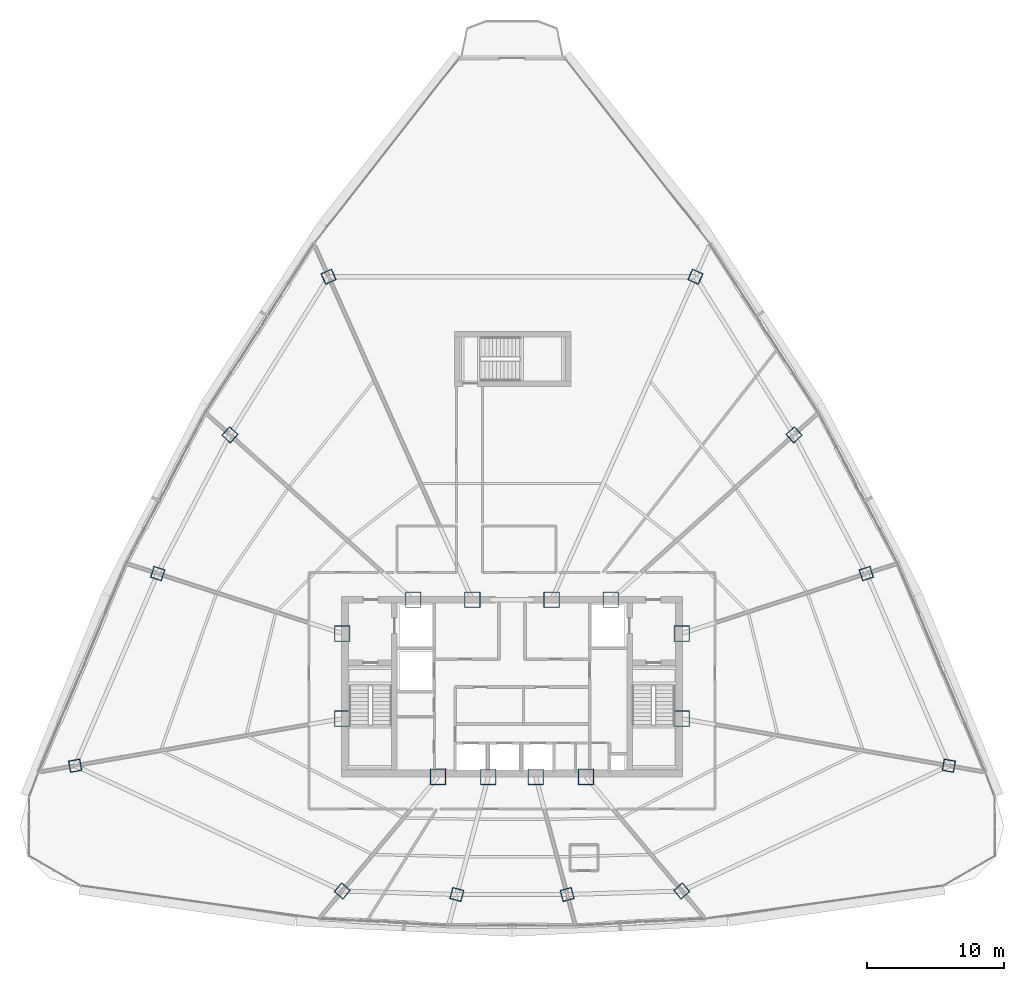
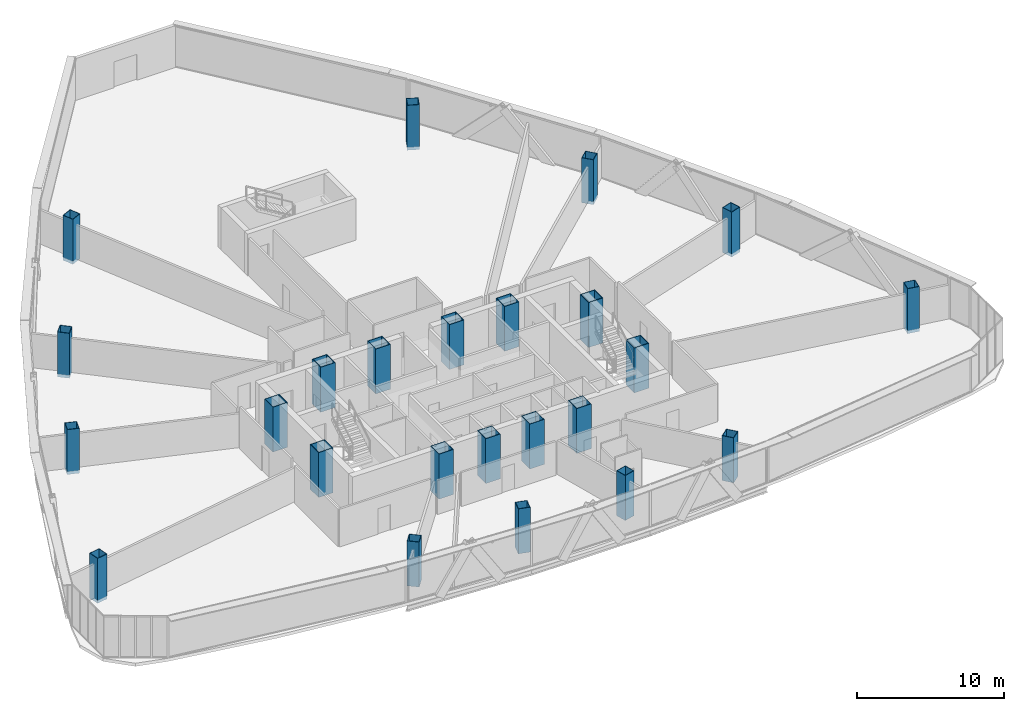
# One storey, part 1 of 36: 24 columns.
"""IFC4 building model written with IfcOpenShell, lengths in metres."""

from ifc_helpers import new_model, si_unit, direction, frame, origin, origin_2d, place, context, subcontext, project, spatial, hollow_rectangle, extrude, source, transform, mapped, material, material_profile, profile_set, type_object, element, save


model = new_model("IFC4")

# Units and contexts
model_context = context("Model", 3, precision=1e-05, world=origin(), true_north=direction((0.0, 1.0)))
body_context = subcontext(model_context, "Body", "Model", "MODEL_VIEW")
ifc_project = project(units=[si_unit("LENGTHUNIT", "METRE"), si_unit("AREAUNIT", "SQUARE_METRE"), si_unit("VOLUMEUNIT", "CUBIC_METRE"), si_unit("PLANEANGLEUNIT", "RADIAN"), si_unit("MASSUNIT", "GRAM", prefix="KILO"), si_unit("THERMODYNAMICTEMPERATUREUNIT", "KELVIN"), si_unit("POWERUNIT", "WATT")], contexts=[model_context])

# Site, building, storey
site_placement = place(None, origin())
site = spatial("IfcSite", under=ifc_project, at=site_placement, CompositionType="ELEMENT")
building_placement = place(site_placement, origin())
building = spatial("IfcBuilding", under=site, at=building_placement, Name="Yunzhuo Pagoda Commons", CompositionType="ELEMENT")
storey_placement = place(building_placement, frame((0.0, 0.0, 244.530029296875)))
storey = spatial("IfcBuildingStorey", under=building, at=storey_placement, Name="L61", CompositionType="ELEMENT", Elevation=244.530029296875)

# Columns
ifc_material_1 = material(Name="Structural steel Q420B", Category="steel")
ifc_material_profile_1 = material_profile(ifc_material_1, hollow_rectangle(XDim=1.14990234375, YDim=1.14990234375, WallThickness=0.048095703125, at=origin_2d()), Name="Structural steel Q420B")
ifc_profile_set_1 = profile_set([ifc_material_profile_1], Name="Structural steel Q420B")
column_type_1 = type_object("IfcColumnType", Name="C-COR Column BOX 1150x1150x48", PredefinedType="COLUMN", material=ifc_profile_set_1)
shared_shape_1 = source(origin(), body_context, "Body", "SweptSolid", [
    extrude(hollow_rectangle(XDim=1.14990234375, YDim=1.14990234375, WallThickness=0.048095703125, at=origin_2d()), origin(), (0.0, 0.0, 1.0), 3.729736328125),
])
for number, where, z_axis, x_axis, name in (
    (1, (42.587890625, 27.25, -0.259765625), (0.0, 0.0, 1.0), (1.0, 0.0, 0.0), "L61 core composite column F1C1"),
    (2, (46.27197265625, 27.25, -0.259765625), (0.0, 0.0, 1.0), (1.0, 0.0, 0.0), "L61 core composite column F1C2"),
    (3, (49.728515625, 27.25, -0.259765625), (0.0, 0.0, 1.0), (1.0, 0.0, 0.0), "L61 core composite column F1C3"),
    (4, (53.412109375, 27.25, -0.259765625), (0.0, 0.0, 1.0), (1.0, 0.0, 0.0), "L61 core composite column F1C4"),
    (5, (60.39990234375, 31.513427734375, -0.259765625), (0.0, 0.0, 1.0), (1.0, 0.0, 0.0), "L61 core composite column F2C1"),
    (6, (60.39990234375, 37.72900390625, -0.259765625), (0.0, 0.0, 1.0), (1.0, 0.0, 0.0), "L61 core composite column F2C2"),
    (7, (55.218994140625, 40.199951171875, -0.259765625), (0.0, 0.0, 1.0), (1.0, 0.0, 0.0), "L61 core composite column F2C3"),
    (8, (50.89404296875, 40.199951171875, -0.259765625), (0.0, 0.0, 1.0), (1.0, 0.0, 0.0), "L61 core composite column F2C4"),
    (9, (45.10595703125, 40.199951171875, -0.259765625), (0.0, 0.0, 1.0), (1.0, 0.0, 0.0), "L61 core composite column F3C1"),
    (10, (40.781005859375, 40.199951171875, -0.259765625), (0.0, 0.0, 1.0), (1.0, 0.0, 0.0), "L61 core composite column F3C2"),
    (11, (35.60009765625, 37.72900390625, -0.259765625), (0.0, 0.0, 1.0), (1.0, 0.0, 0.0), "L61 core composite column F3C3"),
    (12, (35.60009765625, 31.513427734375, -0.259765625), (0.0, 0.0, 1.0), (1.0, 0.0, 0.0), "L61 core composite column F3C4"),
):
    element("IfcColumn", number, at=place(storey_placement, frame(where, z_axis=z_axis, x_axis=x_axis)), inside=storey, type_object=column_type_1, Name=name, PredefinedType="COLUMN", context=body_context, shape_type="MappedRepresentation", body=[
        mapped(shared_shape_1, transform((0.0, 0.0, 0.0), scale=1.0)),
    ])
ifc_material_2 = material(Name="Structural steel Q355B", Category="steel")
ifc_material_profile_2 = material_profile(ifc_material_2, hollow_rectangle(XDim=0.85009765625, YDim=0.85009765625, WallThickness=0.033935546875, at=origin_2d()), Name="Structural steel Q355B")
ifc_profile_set_2 = profile_set([ifc_material_profile_2], Name="Structural steel Q355B")
column_type_2 = type_object("IfcColumnType", Name="C-Z5 Column BOX 850x850x34", PredefinedType="COLUMN", material=ifc_profile_set_2)
shared_shape_2 = source(origin(), body_context, "Body", "SweptSolid", [
    extrude(hollow_rectangle(XDim=0.85009765625, YDim=0.85009765625, WallThickness=0.033935546875, at=origin_2d()), origin(), (0.0, 0.0, 1.0), 3.729736328125),
])
for number, where, z_axis, x_axis, name in (
    (13, (35.593017578125, 18.913818359375, -0.259765625), (0.0, 0.0, 1.0), (0.766044443119, -0.642787609687, 0.0), "L61 tower column F1C1"),
    (14, (43.968505859375, 18.654052734375, -0.259765625), (0.0, 0.0, 1.0), (0.965925826289, -0.258819045103, 0.0), "L61 tower column F1C2"),
    (15, (52.031494140625, 18.654052734375, -0.259765625), (0.0, 0.0, 1.0), (0.965925826289, 0.258819045103, 0.0), "L61 tower column F1C3"),
    (16, (60.406982421875, 18.913818359375, -0.259765625), (0.0, 0.0, 1.0), (0.766044443119, 0.642787609687, 0.0), "L61 tower column F1C4"),
    (17, (79.93408203125, 28.069091796875, -0.259765625), (0.0, 0.0, 1.0), (0.173648177667, 0.984807753012, 0.0), "L61 tower column F2C1"),
    (18, (73.898681640625, 42.114990234375, -0.259765625), (0.0, 0.0, 1.0), (-0.309016994375, 0.951056516295, 0.0), "L61 tower column F2C2"),
    (19, (68.61181640625, 52.259033203125, -0.259765625), (0.0, 0.0, 1.0), (-0.669130606359, 0.743144825477, 0.0), "L61 tower column F2C3"),
    (20, (61.40673828125, 63.81201171875, -0.259765625), (0.0, 0.0, 1.0), (-0.913545457643, 0.406736643076, 0.0), "L61 tower column F2C4"),
    (21, (34.59326171875, 63.81201171875, -0.259765625), (0.0, 0.0, 1.0), (-0.913545457643, -0.406736643076, 0.0), "L61 tower column F3C1"),
    (22, (27.38818359375, 52.259033203125, -0.259765625), (0.0, 0.0, 1.0), (-0.669130606359, -0.743144825477, 0.0), "L61 tower column F3C2"),
    (23, (22.101806640625, 42.114990234375, -0.259765625), (0.0, 0.0, 1.0), (-0.309016994375, -0.951056516295, 0.0), "L61 tower column F3C3"),
    (24, (16.06591796875, 28.069091796875, -0.259765625), (0.0, 0.0, 1.0), (0.173648177667, -0.984807753012, 0.0), "L61 tower column F3C4"),
):
    element("IfcColumn", number, at=place(storey_placement, frame(where, z_axis=z_axis, x_axis=x_axis)), inside=storey, type_object=column_type_2, Name=name, PredefinedType="COLUMN", context=body_context, shape_type="MappedRepresentation", body=[
        mapped(shared_shape_2, transform((0.0, 0.0, 0.0), scale=1.0)),
    ])

save(model, "model.ifc")
